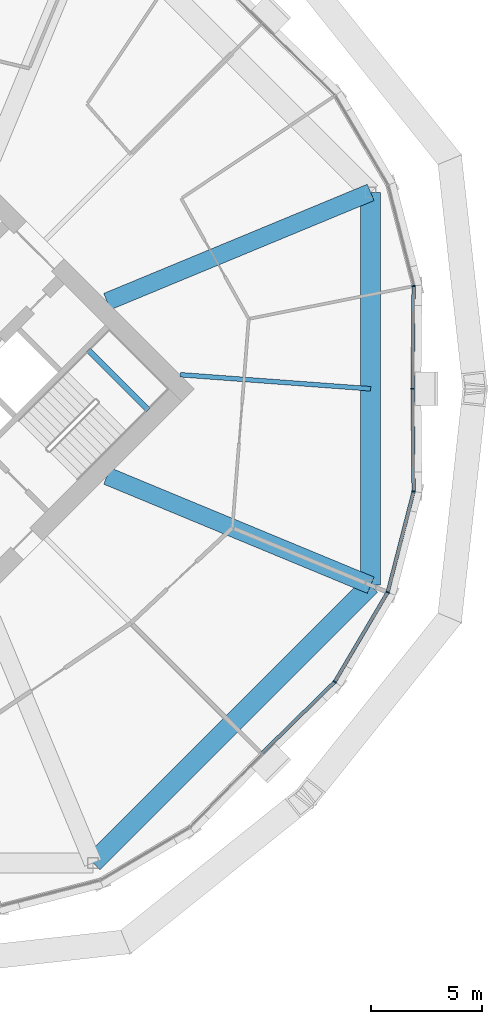
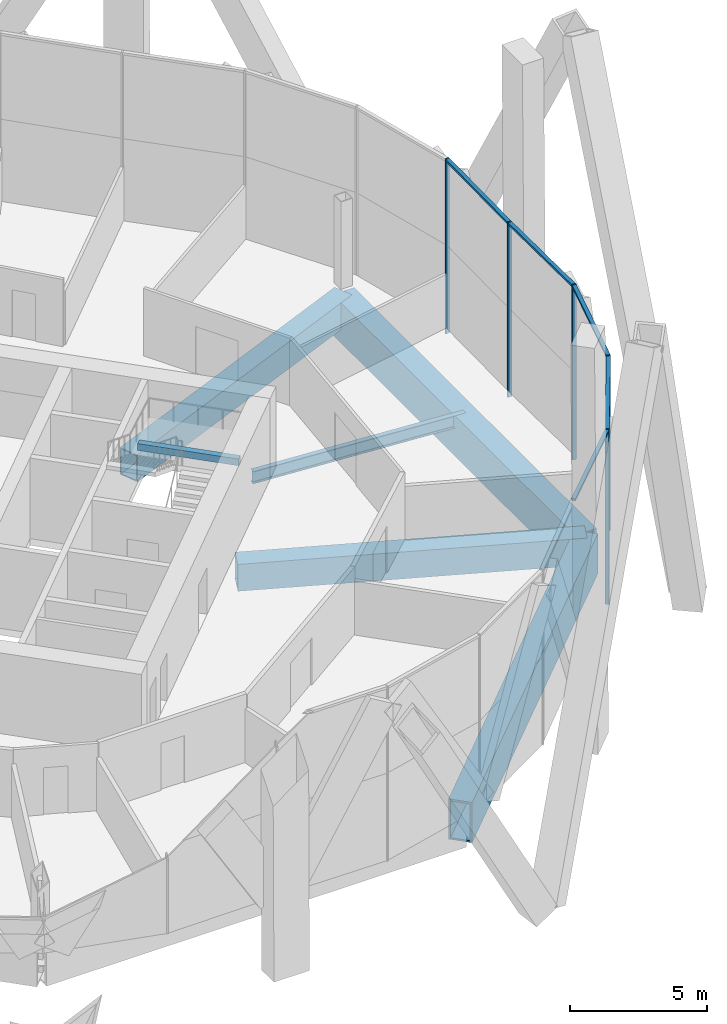
# One storey, part 13 of 30: 10 members, 6 beams, 2 elements without a shape of their own.
"""IFC4 building model written with IfcOpenShell, lengths in metres."""

from ifc_helpers import new_model, si_unit, direction, frame, origin, origin_2d, place, context, subcontext, project, spatial, rectangle, hollow_rectangle, i_section, extrude, material, material_profile, profile_set, type_object, element, aggregate, save


model = new_model("IFC4")

# Units and contexts
model_context = context("Model", 3, precision=1e-05, world=origin(), true_north=direction((0.0, 1.0)))
body_context = subcontext(model_context, "Body", "Model", "MODEL_VIEW")
ifc_project = project(units=[si_unit("LENGTHUNIT", "METRE"), si_unit("AREAUNIT", "SQUARE_METRE"), si_unit("VOLUMEUNIT", "CUBIC_METRE"), si_unit("PLANEANGLEUNIT", "RADIAN"), si_unit("MASSUNIT", "GRAM", prefix="KILO")], contexts=[model_context])

# Site, building, storey
site_placement = place(None, origin())
site = spatial("IfcSite", under=ifc_project, at=site_placement, CompositionType="ELEMENT")
building_placement = place(site_placement, origin())
building = spatial("IfcBuilding", under=site, at=building_placement, Name="Ogive Gate Towers", CompositionType="ELEMENT")
storey_placement = place(building_placement, frame((0.0, 0.0, 99.60009765625)))
storey = spatial("IfcBuildingStorey", under=building, at=storey_placement, Name="L23", CompositionType="ELEMENT", Elevation=99.60009765625)

# Beams
ifc_material_1 = material(Name="Steel SM460", Category="steel")
ifc_material_profile_1 = material_profile(ifc_material_1, hollow_rectangle(XDim=0.89990234375, YDim=1.800048828125, WallThickness=0.080078125, at=origin_2d()), Name="BX 1800x900x80")
ifc_profile_set_1 = profile_set([ifc_material_profile_1], Name="Steel SM460")
beam_type_1 = type_object("IfcBeamType", Name="Edge girder BX 1800x900x80", PredefinedType="BEAM", material=ifc_profile_set_1)
beam_1_placement = place(storey_placement, frame((44.863037109375, -21.39697265625, -1.2001953125), z_axis=(0.707106781187, 0.707106781187, 0.0), x_axis=(-0.707106781187, 0.707106781187, 0.0)))
element("IfcBeam", 1, at=beam_1_placement, inside=storey, type_object=beam_type_1, Name="T2/L23/SBM019", PredefinedType="BEAM", context=body_context, shape_type="SweptSolid", body=[
    extrude(hollow_rectangle(XDim=0.89990234375, YDim=1.800048828125, WallThickness=0.080078125, at=origin_2d()), origin(), (0.0, 0.0, 1.0), 17.7255859375),
])
beam_2_placement = place(storey_placement, frame((57.39697265625, -8.863037109375, -1.2001953125), z_axis=(0.0, 1.0, 0.0), x_axis=(-1.0, 0.0, 0.0)))
element("IfcBeam", 2, at=beam_2_placement, inside=storey, type_object=beam_type_1, Name="T2/L23/SBM020", PredefinedType="BEAM", context=body_context, shape_type="SweptSolid", body=[
    extrude(hollow_rectangle(XDim=0.89990234375, YDim=1.800048828125, WallThickness=0.080078125, at=origin_2d()), origin(), (0.0, 0.0, 1.0), 17.72607421875),
])
ifc_material_2 = material(Name="Concrete C40/50", Category="concrete")
ifc_material_profile_2 = material_profile(ifc_material_2, rectangle(XDim=0.25, YDim=0.300048828125, at=origin_2d()), Name="RC 250x300")
ifc_profile_set_2 = profile_set([ifc_material_profile_2], Name="Concrete C40/50")
beam_type_2 = type_object("IfcBeamType", Name="Landing bearer RC 250x300", PredefinedType="BEAM", material=ifc_profile_set_2)
beam_3_placement = place(storey_placement, frame((47.349609375, -0.9541015625, 1.599853515625), z_axis=(-0.707106781187, 0.707106781187, 0.0), x_axis=(-0.707106781187, -0.707106781187, 0.0)))
element("IfcBeam", 3, at=beam_3_placement, inside=storey, type_object=beam_type_2, Name="T2 L23 stair 2 landing bearer 1", PredefinedType="BEAM", context=body_context, shape_type="SweptSolid", body=[
    extrude(rectangle(XDim=0.25, YDim=0.300048828125, at=origin_2d()), origin(), (0.0, 0.0, 1.0), 3.824951171875),
])
ifc_material_3 = material(Name="Steel SM355", Category="steel")
ifc_material_profile_3 = material_profile(ifc_material_3, i_section(OverallWidth=0.2099609375, OverallDepth=0.550048828125, WebThickness=0.010986328125, FlangeThickness=0.01708984375, FilletRadius=0.02392578125, at=origin_2d()), Name="IPE 550")
ifc_profile_set_3 = profile_set([ifc_material_profile_3], Name="Steel SM355")
beam_type_3 = type_object("IfcBeamType", Name="Radial floor beam IPE 550", PredefinedType="BEAM", material=ifc_profile_set_3)
beam_4_placement = place(storey_placement, frame((48.798583984375, 0.636474609375, -0.5751953125), z_axis=(0.997271538954, -0.07382057702, 0.0), x_axis=(0.07382057702, 0.997271538954, 0.0)))
element("IfcBeam", 4, at=beam_4_placement, inside=storey, type_object=beam_type_3, Name="T2/L23/SBM008", PredefinedType="BEAM", context=body_context, shape_type="SweptSolid", body=[
    extrude(i_section(OverallWidth=0.2099609375, OverallDepth=0.550048828125, WebThickness=0.010986328125, FlangeThickness=0.01708984375, FilletRadius=0.02392578125, at=origin_2d()), origin(), (0.0, 0.0, 1.0), 8.621826171875),
])

# Curtain wall, members
ifc_material_4 = material(Name="Pale metal aluminium", Category="aluminium")
curtain_wall_type = type_object("IfcCurtainWallType", Name="Tower unitised wall, low zone", PredefinedType="NOTDEFINED", material=ifc_material_4)
curtain_wall_1_placement = place(storey_placement, origin())
curtain_wall_1 = element("IfcCurtainWall", 5, at=curtain_wall_1_placement, inside=storey, type_object=curtain_wall_type, Name="CW1 T2 ECW01", PredefinedType="NOTDEFINED")
ifc_material_profile_4 = material_profile(ifc_material_4, rectangle(XDim=0.159912109375, YDim=0.06005859375, at=origin_2d()), Name="60 x 160 aluminium box")
ifc_profile_set_4 = profile_set([ifc_material_profile_4], Name="Pale metal aluminium")
member_type_1 = type_object("IfcMemberType", Name="Tower unitised wall, low zone mullion 60 x 160", PredefinedType="MULLION", material=ifc_profile_set_4)
member_1_placement = place(storey_placement, frame((59.2900390625, 0.000244140625, -0.300048828125), z_axis=(0.0, 0.0, 1.0), x_axis=(0.999953926969, -0.009599163462, 0.0)))
member_1 = element("IfcMember", 6, at=member_1_placement, type_object=member_type_1, Name="CW1 mullion", PredefinedType="MULLION", context=body_context, shape_type="SweptSolid", body=[
    extrude(rectangle(XDim=0.159912109375, YDim=0.06005859375, at=origin_2d()), origin(), (0.0, 0.0, 1.0), 7.800048828125),
])
member_2_placement = place(storey_placement, frame((59.334716796875, 4.635498046875, -0.300048828125), z_axis=(0.0, 0.0, 1.0), x_axis=(0.992671119641, 0.120847210271, 0.0)))
member_2 = element("IfcMember", 7, at=member_2_placement, type_object=member_type_1, Name="CW1 mullion", PredefinedType="MULLION", context=body_context, shape_type="SweptSolid", body=[
    extrude(rectangle(XDim=0.159912109375, YDim=0.06005859375, at=origin_2d()), origin(), (0.0, 0.0, 1.0), 7.800048828125),
])

curtain_wall_2_placement = place(storey_placement, origin())
curtain_wall_2 = element("IfcCurtainWall", 8, at=curtain_wall_2_placement, inside=storey, type_object=curtain_wall_type, Name="CW1 T2 ECW08", PredefinedType="NOTDEFINED")
member_3_placement = place(storey_placement, frame((55.77783203125, -13.222412109375, -0.300048828125), z_axis=(0.0, 0.0, 1.0), x_axis=(0.787387121413, -0.616458855912, 0.0)))
member_3 = element("IfcMember", 9, at=member_3_placement, type_object=member_type_1, Name="CW1 mullion", PredefinedType="MULLION", context=body_context, shape_type="SweptSolid", body=[
    extrude(rectangle(XDim=0.159912109375, YDim=0.06005859375, at=origin_2d()), origin(), (0.0, 0.0, 1.0), 7.800048828125),
])
member_4_placement = place(storey_placement, frame((58.164794921875, -9.180908203125, -0.300048828125), z_axis=(0.0, 0.0, 1.0), x_axis=(0.923879532511, -0.382683432365, 0.0)))
member_4 = element("IfcMember", 10, at=member_4_placement, type_object=member_type_1, Name="CW1 mullion", PredefinedType="MULLION", context=body_context, shape_type="SweptSolid", body=[
    extrude(rectangle(XDim=0.159912109375, YDim=0.06005859375, at=origin_2d()), origin(), (0.0, 0.0, 1.0), 7.800048828125),
])
member_5_placement = place(storey_placement, frame((59.334716796875, -4.635498046875, -0.300048828125), z_axis=(0.0, 0.0, 1.0), x_axis=(0.992671119641, -0.120847210271, 0.0)))
member_5 = element("IfcMember", 11, at=member_5_placement, type_object=member_type_1, Name="CW1 mullion", PredefinedType="MULLION", context=body_context, shape_type="SweptSolid", body=[
    extrude(rectangle(XDim=0.159912109375, YDim=0.06005859375, at=origin_2d()), origin(), (0.0, 0.0, 1.0), 7.800048828125),
])

# Member
ifc_material_profile_5 = material_profile(ifc_material_4, rectangle(XDim=0.159912109375, YDim=0.10009765625, at=origin_2d()), Name="100 x 160 aluminium box")
ifc_profile_set_5 = profile_set([ifc_material_profile_5], Name="Pale metal aluminium")
member_type_2 = type_object("IfcMemberType", Name="Tower unitised wall, low zone transom 100 x 160", PredefinedType="USERDEFINED", material=ifc_profile_set_5)
member_6_placement = place(storey_placement, frame((59.290283203125, 0.0302734375, 7.449951171875), z_axis=(0.009599557663, 0.999953923185, 0.0), x_axis=(-0.999953923185, 0.009599557663, 0.0)))
member_6 = element("IfcMember", 12, at=member_6_placement, type_object=member_type_2, Name="CW1 transom", ObjectType="TRANSOM", PredefinedType="USERDEFINED", context=body_context, shape_type="SweptSolid", body=[
    extrude(rectangle(XDim=0.159912109375, YDim=0.10009765625, at=origin_2d()), origin(), (0.0, 0.0, 1.0), 4.577880859375),
])

aggregate(curtain_wall_1, [member_1, member_2, member_6])

member_7_placement = place(storey_placement, frame((52.489990234375, -16.447509765625, 7.449951171875), z_axis=(0.71387313872, 0.70027504726, 0.0), x_axis=(-0.70027504726, 0.71387313872, 0.0)))
member_7 = element("IfcMember", 13, at=member_7_placement, type_object=member_type_2, Name="CW1 transom", ObjectType="TRANSOM", PredefinedType="USERDEFINED", context=body_context, shape_type="SweptSolid", body=[
    extrude(rectangle(XDim=0.159912109375, YDim=0.10009765625, at=origin_2d()), origin(), (0.0, 0.0, 1.0), 4.578369140625),
])

member_8_placement = place(storey_placement, frame((55.79150390625, -13.19873046875, 7.449951171875), z_axis=(0.508578598665, 0.861015568373, 0.0), x_axis=(-0.861015568373, 0.508578598665, 0.0)))
member_8 = element("IfcMember", 14, at=member_8_placement, type_object=member_type_2, Name="CW1 transom", ObjectType="TRANSOM", PredefinedType="USERDEFINED", context=body_context, shape_type="SweptSolid", body=[
    extrude(rectangle(XDim=0.159912109375, YDim=0.10009765625, at=origin_2d()), origin(), (0.0, 0.0, 1.0), 4.63916015625),
])

member_9_placement = place(storey_placement, frame((58.17138671875, -9.154541015625, 7.449951171875), z_axis=(0.249241307087, 0.968441413221, 0.0), x_axis=(-0.968441413221, 0.249241307087, 0.0)))
member_9 = element("IfcMember", 15, at=member_9_placement, type_object=member_type_2, Name="CW1 transom", ObjectType="TRANSOM", PredefinedType="USERDEFINED", context=body_context, shape_type="SweptSolid", body=[
    extrude(rectangle(XDim=0.159912109375, YDim=0.10009765625, at=origin_2d()), origin(), (0.0, 0.0, 1.0), 4.63916015625),
])

member_10_placement = place(storey_placement, frame((59.334228515625, -4.60791015625, 7.449951171875), z_axis=(-0.009599557663, 0.999953923185, 0.0), x_axis=(-0.999953923185, -0.009599557663, 0.0)))
member_10 = element("IfcMember", 16, at=member_10_placement, type_object=member_type_2, Name="CW1 transom", ObjectType="TRANSOM", PredefinedType="USERDEFINED", context=body_context, shape_type="SweptSolid", body=[
    extrude(rectangle(XDim=0.159912109375, YDim=0.10009765625, at=origin_2d()), origin(), (0.0, 0.0, 1.0), 4.577880859375),
])

aggregate(curtain_wall_2, [member_3, member_7, member_4, member_8, member_5, member_9, member_10])

# Beams
ifc_material_profile_6 = material_profile(ifc_material_1, hollow_rectangle(XDim=0.800048828125, YDim=1.199951171875, WallThickness=0.050048828125, at=origin_2d()), Name="BX 1200x800x50")
ifc_profile_set_6 = profile_set([ifc_material_profile_6], Name="Steel SM460")
beam_type_4 = type_object("IfcBeamType", Name="Transfer radial beam BX 1200x800x50", PredefinedType="BEAM", material=ifc_profile_set_6)
for number, where, z_axis, x_axis, name in (
    (17, (45.5, -3.93505859375, -0.900146484375), (0.923877031545, -0.382689470177, 0.0), (0.382689470177, 0.923877031545, 0.0), "T2/L23/SBM007"),
    (18, (45.5, 3.93505859375, -0.900146484375), (0.923877031545, 0.382689470177, 0.0), (-0.382689470177, 0.923877031545, 0.0), "T2/L23/SBM009"),
):
    element("IfcBeam", number, at=place(storey_placement, frame(where, z_axis=z_axis, x_axis=x_axis)), inside=storey, type_object=beam_type_4, Name=name, PredefinedType="BEAM", context=body_context, shape_type="SweptSolid", body=[
        extrude(hollow_rectangle(XDim=0.800048828125, YDim=1.199951171875, WallThickness=0.050048828125, at=origin_2d()), origin(), (0.0, 0.0, 1.0), 12.877197265625),
    ])

save(model, "model.ifc")
